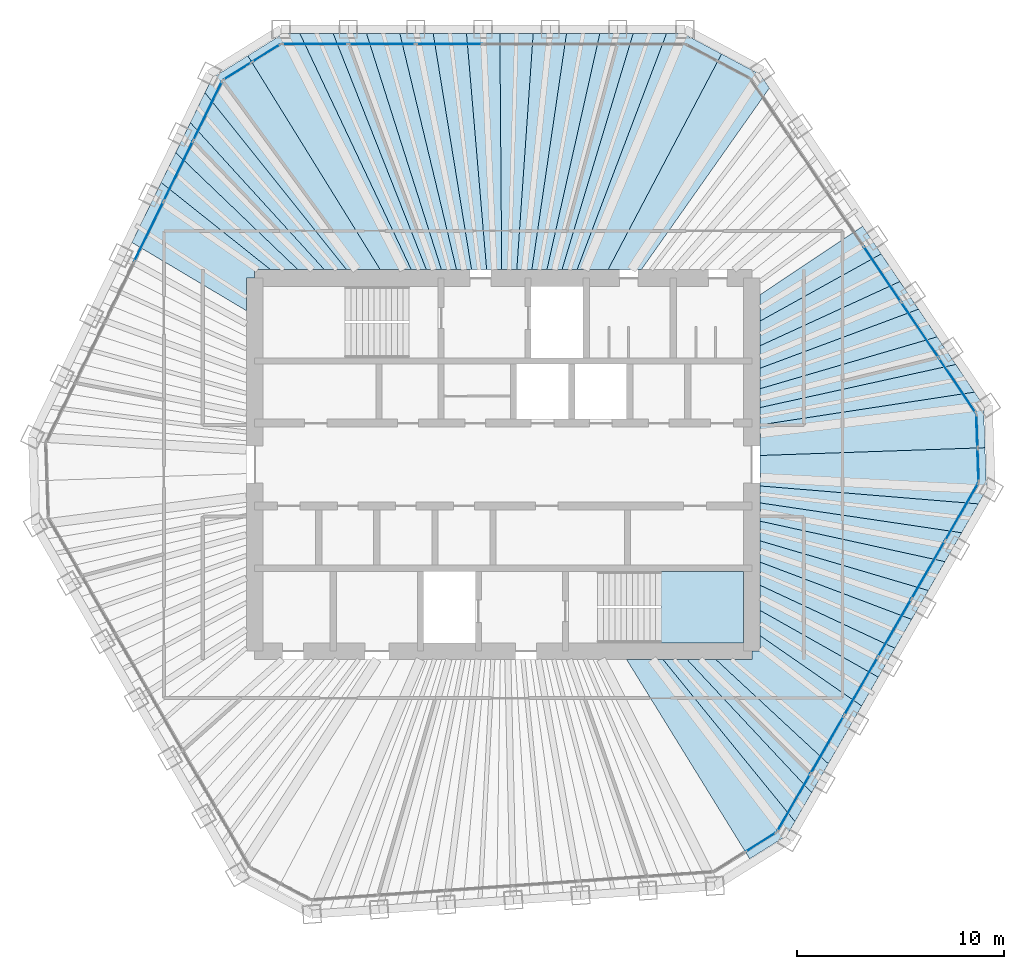
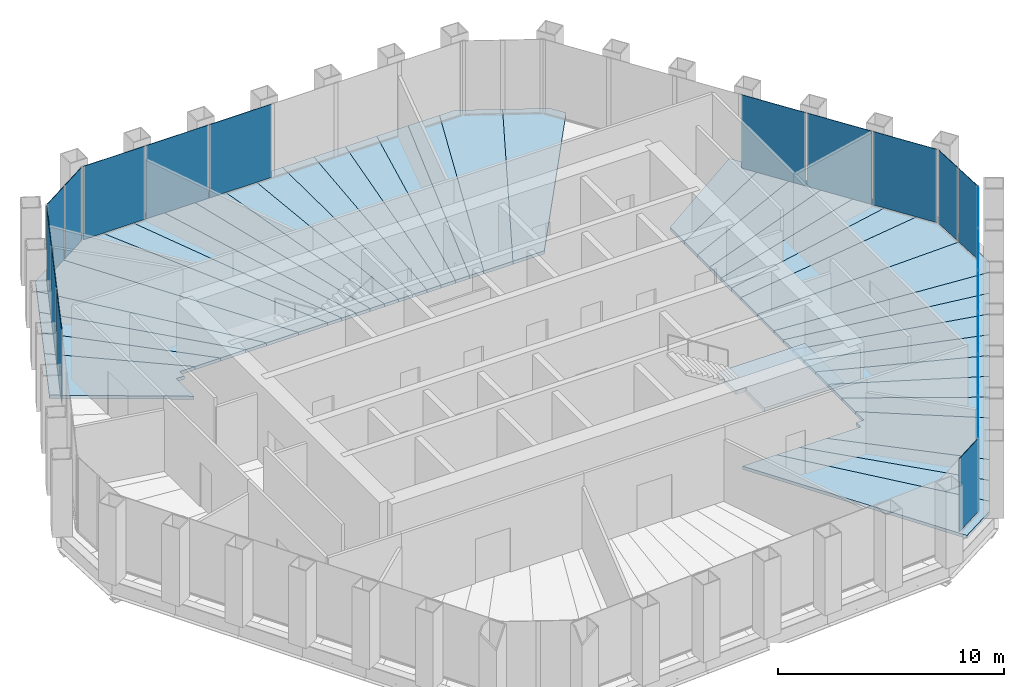
# One storey, part 10 of 14: 39 slabs, 20 plates, 8 elements without a shape of their own.
"""IFC4 building model written with IfcOpenShell, lengths in metres."""

import ifcopenshell
import ifcopenshell.guid

model = None  # the IFC model being written
_history = None  # IfcOwnerHistory: only IFC2X3 demands one
_inside = {}  # id of a spatial element -> (the spatial element, [elements in it])
_under = {}  # id of a project, library or spatial element -> (it, [spatial elements below it])
_declared = {}  # id of a project -> (the project, [libraries it declares])
_typed = {}  # id of a type object -> (the type object, [elements of that type])
_made_of = {}  # id of a material, layer set ... -> (it, [elements and type objects made of it])


def new_model(schema):
    """Start an empty IFC model of exactly this schema.

    Asked for "IFC4X3", IfcOpenShell would pick the latest addendum, in which some entities
    have other attributes; the version numbers below select the first issue.
    IFC2X3 requires an IfcOwnerHistory on every rooted entity: one is made here for all.
    """
    global model, _history
    if schema == "IFC4X3":
        model = ifcopenshell.file(schema_version=(4, 3, 0, 0))
    else:
        model = ifcopenshell.file(schema=schema)
    _inside.clear()
    _under.clear()
    _declared.clear()
    _typed.clear()
    _made_of.clear()
    _history = None
    if model.schema == "IFC2X3":
        org = make("IfcOrganization", Name="unknown")
        user = make(
            "IfcPersonAndOrganization",
            ThePerson=make("IfcPerson", FamilyName="unknown"),
            TheOrganization=org,
        )
        app = make(
            "IfcApplication",
            ApplicationDeveloper=org,
            Version="unknown",
            ApplicationFullName="unknown",
            ApplicationIdentifier="unknown",
        )
        _history = make(
            "IfcOwnerHistory",
            OwningUser=user,
            OwningApplication=app,
            ChangeAction="ADDED",
            CreationDate=0,
        )
    return model


def make(cls, **values):
    """One entity of the class cls with the attributes given. An attribute that is None is left unset."""
    return model.create_entity(
        cls, **{name: value for name, value in values.items() if value is not None}
    )


def rooted(cls, **values):
    """An entity with a GlobalId (a new one), such as an element, a storey or a relation."""
    return make(cls, GlobalId=ifcopenshell.guid.new(), OwnerHistory=_history, **values)


def si_unit(unit_type, name, prefix=None):
    """IfcSIUnit, for example si_unit("LENGTHUNIT", "METRE", prefix="MILLI")."""
    return make("IfcSIUnit", UnitType=unit_type, Prefix=prefix, Name=name)


def assignment(units):
    """IfcUnitAssignment: the units of a project."""
    return None if units is None else make("IfcUnitAssignment", Units=units)


def point(xyz):
    """IfcCartesianPoint."""
    return None if xyz is None else make("IfcCartesianPoint", Coordinates=xyz)


def direction(xyz):
    """IfcDirection."""
    return None if xyz is None else make("IfcDirection", DirectionRatios=xyz)


def frame(location, z_axis=None, x_axis=None):
    """IfcAxis2Placement3D, a coordinate frame: its origin and axes. An axis left out is left unset."""
    return make(
        "IfcAxis2Placement3D",
        Location=point(location),
        Axis=direction(z_axis),
        RefDirection=direction(x_axis),
    )


def frame_2d(location, x_axis=None):
    """IfcAxis2Placement2D, a coordinate frame in the plane: its origin and x axis."""
    return make(
        "IfcAxis2Placement2D", Location=point(location), RefDirection=direction(x_axis)
    )


def origin():
    """The frame at (0, 0, 0) with its axes left unset."""
    return frame((0.0, 0.0, 0.0))


def origin_2d():
    """The frame at (0, 0) in the plane with its x axis left unset."""
    return frame_2d((0.0, 0.0))


def place(relative_to, where):
    """IfcLocalPlacement: puts the frame where relative to a parent placement (None: the world)."""
    return make(
        "IfcLocalPlacement", PlacementRelTo=relative_to, RelativePlacement=where
    )


def context(
    kind, dimensions, precision=None, world=None, true_north=None, identifier=None
):
    """IfcGeometricRepresentationContext, for example the 3D "Model" context."""
    return make(
        "IfcGeometricRepresentationContext",
        ContextIdentifier=identifier,
        ContextType=kind,
        CoordinateSpaceDimension=dimensions,
        Precision=precision,
        WorldCoordinateSystem=world,
        TrueNorth=true_north,
    )


def subcontext(parent, identifier, kind, view, scale=None):
    """IfcGeometricRepresentationSubContext, for example "Body" below "Model"."""
    return make(
        "IfcGeometricRepresentationSubContext",
        ContextIdentifier=identifier,
        ContextType=kind,
        ParentContext=parent,
        TargetScale=scale,
        TargetView=view,
    )


def project(units=None, contexts=None):
    """IfcProject with its units and contexts."""
    return rooted(
        "IfcProject",
        Name="project",
        RepresentationContexts=contexts,
        UnitsInContext=assignment(units),
    )


def spatial(cls, under=None, at=None, **own):
    """A site, building, storey or space (cls), placed at a placement, below another one or the project."""
    s = rooted(cls, ObjectPlacement=at, **own)
    if under is not None:
        _under.setdefault(under.id(), (under, []))[1].append(s)
    return s


def polyline(points):
    """IfcPolyline through the points."""
    return make("IfcPolyline", Points=[point(p) for p in points])


def profile(cls, at=None, kind="AREA", **sizes):
    """A parametric profile (cls). Its sizes go by their IFC names, for example OverallWidth=200.0."""
    return make(cls, ProfileType=kind, Position=at, **sizes)


def rectangle(**sizes):
    """IfcRectangleProfileDef."""
    return profile("IfcRectangleProfileDef", **sizes)


def outline(outer, holes=None, kind="AREA"):
    """IfcArbitraryClosedProfileDef: a profile drawn as a closed curve; with holes, ...WithVoids."""
    if holes is None:
        return make("IfcArbitraryClosedProfileDef", ProfileType=kind, OuterCurve=outer)
    return make(
        "IfcArbitraryProfileDefWithVoids",
        ProfileType=kind,
        OuterCurve=outer,
        InnerCurves=holes,
    )


def extrude(swept, where, along, depth):
    """IfcExtrudedAreaSolid: the profile swept, set in the frame where, extruded along a direction by depth."""
    return make(
        "IfcExtrudedAreaSolid",
        SweptArea=swept,
        Position=where,
        ExtrudedDirection=direction(along),
        Depth=depth,
    )


def shape(context_of_items, identifier, shape_type, items):
    """IfcShapeRepresentation: the items that make up one representation, for example the "Body"."""
    return make(
        "IfcShapeRepresentation",
        ContextOfItems=context_of_items,
        RepresentationIdentifier=identifier,
        RepresentationType=shape_type,
        Items=items,
    )


def material(Name=None, Category=None):
    """IfcMaterial."""
    return make("IfcMaterial", Name=Name, Category=Category)


def layer(
    of_material, thickness, ventilated=None, Name=None, Category=None, Priority=None
):
    """IfcMaterialLayer: one layer of a wall or slab, of a material (None: an air gap)."""
    return make(
        "IfcMaterialLayer",
        Material=of_material,
        LayerThickness=thickness,
        IsVentilated=ventilated,
        Name=Name,
        Category=Category,
        Priority=Priority,
    )


def layer_set(layers, Name=None):
    """IfcMaterialLayerSet."""
    return make("IfcMaterialLayerSet", MaterialLayers=layers, LayerSetName=Name)


def made_of(thing, what):
    """Note that an element or type object is made of a material, layer set ...; save() writes the relation."""
    if what is not None:
        _made_of.setdefault(what.id(), (what, []))[1].append(thing)
    return thing


def type_object(cls, material=None, **own):
    """A type object (cls), such as IfcWallType, which elements share."""
    return made_of(rooted(cls, **own), material)


def element(
    cls,
    number,
    at=None,
    inside=None,
    cuts=None,
    type_object=None,
    material=None,
    context=None,
    identifier="Body",
    shape_type=None,
    held_by="IfcProductDefinitionShape",
    body=None,
    shapes=None,
    **own,
):
    """One element of the class cls, such as IfcWall. Its Tag is "e" and its number.

    at: its placement. inside: the storey or other place that contains it. cuts: it is an
    opening in that element (IfcRelVoidsElement). A single representation is given by context,
    identifier, shape_type and body (its items); several are given by shapes. held_by: the class
    of the entity that holds the representations. save() writes the other relations.
    """
    e = rooted(cls, Tag="e%d" % number, ObjectPlacement=at, **own)
    if body is not None:
        shapes = [shape(context, identifier, shape_type, body)]
    if shapes is not None:
        e.Representation = make(held_by, Representations=shapes)
    if inside is not None:
        _inside.setdefault(inside.id(), (inside, []))[1].append(e)
    if cuts is not None:
        rooted(
            "IfcRelVoidsElement", RelatingBuildingElement=cuts, RelatedOpeningElement=e
        )
    if type_object is not None:
        _typed.setdefault(type_object.id(), (type_object, []))[1].append(e)
    return made_of(e, material)


def aggregate(whole, parts):
    """IfcRelAggregates: a whole, such as a stair, and the parts it consists of."""
    return rooted("IfcRelAggregates", RelatingObject=whole, RelatedObjects=parts)


def save(model, path):
    """Write the relations noted so far, then the file.

    IfcRelAggregates (storeys below a building ...), IfcRelContainedInSpatialStructure (elements
    in a storey), IfcRelDefinesByType, IfcRelAssociatesMaterial and IfcRelDeclares: one each for
    every whole, place, type object, material and project.
    """
    for whole, parts in _under.values():
        aggregate(whole, parts)
    for where, things in _inside.values():
        rooted(
            "IfcRelContainedInSpatialStructure",
            RelatedElements=things,
            RelatingStructure=where,
        )
    for kind, things in _typed.values():
        rooted("IfcRelDefinesByType", RelatedObjects=things, RelatingType=kind)
    for what, things in _made_of.values():
        rooted("IfcRelAssociatesMaterial", RelatedObjects=things, RelatingMaterial=what)
    for by, libraries in _declared.values():
        rooted("IfcRelDeclares", RelatingContext=by, RelatedDefinitions=libraries)
    model.write(path)


model = new_model("IFC4")

# Units and contexts
model_context = context("Model", 3, precision=1e-05, world=origin(), true_north=direction((0.0, 1.0)))
body_context = subcontext(model_context, "Body", "Model", "MODEL_VIEW")
ifc_project = project(units=[si_unit("LENGTHUNIT", "METRE"), si_unit("AREAUNIT", "SQUARE_METRE"), si_unit("VOLUMEUNIT", "CUBIC_METRE"), si_unit("PLANEANGLEUNIT", "RADIAN"), si_unit("MASSUNIT", "GRAM", prefix="KILO")], contexts=[model_context])

# Site, building, storey
site_placement = place(None, origin())
site = spatial("IfcSite", under=ifc_project, at=site_placement, CompositionType="ELEMENT")
building_placement = place(site_placement, origin())
building = spatial("IfcBuilding", under=site, at=building_placement, Name="Qingtian Harvest Tower", CompositionType="ELEMENT")
storey_placement = place(building_placement, frame((0.0, 0.0, 320.800048828125)))
storey = spatial("IfcBuildingStorey", under=building, at=storey_placement, Name="L71", CompositionType="ELEMENT", Elevation=320.800048828125)

# Slabs
ifc_material_1 = material(Name="Concrete fc' 35 MPa", Category="concrete")
ifc_layer_1 = layer(ifc_material_1, 0.169921875)
ifc_layer_set_1 = layer_set([ifc_layer_1], Name="Composite floor slab FS17 170")
slab_type_1 = type_object("IfcSlabType", Name="Composite floor slab FS17 170", PredefinedType="FLOOR", material=ifc_layer_set_1)
slab_1_placement = place(storey_placement, frame((0.0, 0.0, -0.170166015625)))
element("IfcSlab", 1, at=slab_1_placement, inside=storey, type_object=slab_type_1, Name="Floor slab L71 panel D27", PredefinedType="FLOOR", context=body_context, shape_type="SweptSolid", body=[
    extrude(outline(polyline([(5.945556640625, -9.39990234375), (7.703125, -9.39990234375), (14.077880859375, -17.2265625), (13.6865234375, -17.904296875), (11.890380859375, -19.026611328125), (5.945556640625, -9.39990234375)])), origin(), (0.0, 0.0, 1.0), 0.170166015625),
])
slab_2_placement = place(storey_placement, frame((0.0, 0.0, -0.170166015625)))
element("IfcSlab", 2, at=slab_2_placement, inside=storey, type_object=slab_type_1, Name="Floor slab L71 panel D28", PredefinedType="FLOOR", context=body_context, shape_type="SweptSolid", body=[
    extrude(outline(polyline([(8.86279296875, -9.39990234375), (14.88232421875, -15.8330078125), (14.077880859375, -17.2265625), (7.703125, -9.39990234375), (8.86279296875, -9.39990234375)])), origin(), (0.0, 0.0, 1.0), 0.170166015625),
])
slab_3_placement = place(storey_placement, frame((0.0, 0.0, -0.170166015625)))
element("IfcSlab", 3, at=slab_3_placement, inside=storey, type_object=slab_type_1, Name="Floor slab L71 panel D29", PredefinedType="FLOOR", context=body_context, shape_type="SweptSolid", body=[
    extrude(outline(polyline([(10.248046875, -9.39990234375), (15.68701171875, -14.439453125), (14.88232421875, -15.8330078125), (8.86279296875, -9.39990234375), (10.248046875, -9.39990234375)])), origin(), (0.0, 0.0, 1.0), 0.170166015625),
])
slab_4_placement = place(storey_placement, frame((0.0, 0.0, -0.170166015625)))
element("IfcSlab", 4, at=slab_4_placement, inside=storey, type_object=slab_type_1, Name="Floor slab L71 panel D31", PredefinedType="FLOOR", context=body_context, shape_type="SweptSolid", body=[
    extrude(outline(polyline([(12.39990234375, -8.263427734375), (17.296630859375, -11.651123046875), (15.68701171875, -14.439453125), (10.248046875, -9.39990234375), (12.0, -9.39990234375), (12.0, -9.0), (12.39990234375, -9.0), (12.39990234375, -8.263427734375)])), origin(), (0.0, 0.0, 1.0), 0.170166015625),
])
slab_5_placement = place(storey_placement, frame((0.0, 0.0, -0.170166015625)))
element("IfcSlab", 5, at=slab_5_placement, inside=storey, type_object=slab_type_1, Name="Floor slab L71 panel D32", PredefinedType="FLOOR", context=body_context, shape_type="SweptSolid", body=[
    extrude(outline(polyline([(12.39990234375, -7.04296875), (18.099853515625, -10.26025390625), (17.296630859375, -11.651123046875), (12.39990234375, -8.263427734375), (12.39990234375, -7.04296875)])), origin(), (0.0, 0.0, 1.0), 0.170166015625),
])
slab_6_placement = place(storey_placement, frame((0.0, 0.0, -0.170166015625)))
element("IfcSlab", 6, at=slab_6_placement, inside=storey, type_object=slab_type_1, Name="Floor slab L71 panel D33", PredefinedType="FLOOR", context=body_context, shape_type="SweptSolid", body=[
    extrude(outline(polyline([(12.39990234375, -5.828125), (18.904296875, -8.86669921875), (18.099853515625, -10.26025390625), (12.39990234375, -7.04296875), (12.39990234375, -5.828125)])), origin(), (0.0, 0.0, 1.0), 0.170166015625),
])
slab_7_placement = place(storey_placement, frame((0.0, 0.0, -0.170166015625)))
element("IfcSlab", 7, at=slab_7_placement, inside=storey, type_object=slab_type_1, Name="Floor slab L71 panel D34", PredefinedType="FLOOR", context=body_context, shape_type="SweptSolid", body=[
    extrude(outline(polyline([(12.39990234375, -4.712646484375), (19.708740234375, -7.473388671875), (18.904296875, -8.86669921875), (12.39990234375, -5.828125), (12.39990234375, -4.712646484375)])), origin(), (0.0, 0.0, 1.0), 0.170166015625),
])
slab_8_placement = place(storey_placement, frame((0.0, 0.0, -0.170166015625)))
element("IfcSlab", 8, at=slab_8_placement, inside=storey, type_object=slab_type_1, Name="Floor slab L71 panel D35", PredefinedType="FLOOR", context=body_context, shape_type="SweptSolid", body=[
    extrude(outline(polyline([(12.39990234375, -3.684814453125), (20.51318359375, -6.080078125), (19.708740234375, -7.473388671875), (12.39990234375, -4.712646484375), (12.39990234375, -3.684814453125)])), origin(), (0.0, 0.0, 1.0), 0.170166015625),
])
slab_9_placement = place(storey_placement, frame((0.0, 0.0, -0.170166015625)))
element("IfcSlab", 9, at=slab_9_placement, inside=storey, type_object=slab_type_1, Name="Floor slab L71 panel D36", PredefinedType="FLOOR", context=body_context, shape_type="SweptSolid", body=[
    extrude(outline(polyline([(12.39990234375, -2.734619140625), (21.317626953125, -4.6865234375), (20.51318359375, -6.080078125), (12.39990234375, -3.684814453125), (12.39990234375, -2.734619140625)])), origin(), (0.0, 0.0, 1.0), 0.170166015625),
])
slab_10_placement = place(storey_placement, frame((0.0, 0.0, -0.170166015625)))
element("IfcSlab", 10, at=slab_10_placement, inside=storey, type_object=slab_type_1, Name="Floor slab L71 panel D37", PredefinedType="FLOOR", context=body_context, shape_type="SweptSolid", body=[
    extrude(outline(polyline([(12.39990234375, -1.853515625), (22.122314453125, -3.293212890625), (21.317626953125, -4.6865234375), (12.39990234375, -2.734619140625), (12.39990234375, -1.853515625)])), origin(), (0.0, 0.0, 1.0), 0.170166015625),
])
slab_11_placement = place(storey_placement, frame((0.0, 0.0, -0.170166015625)))
element("IfcSlab", 11, at=slab_11_placement, inside=storey, type_object=slab_type_1, Name="Floor slab L71 panel D38", PredefinedType="FLOOR", context=body_context, shape_type="SweptSolid", body=[
    extrude(outline(polyline([(12.39990234375, -1.034423828125), (22.9267578125, -1.89990234375), (22.122314453125, -3.293212890625), (12.39990234375, -1.853515625), (12.39990234375, -1.034423828125)])), origin(), (0.0, 0.0, 1.0), 0.170166015625),
])
slab_12_placement = place(storey_placement, frame((0.0, 0.0, -0.170166015625)))
element("IfcSlab", 12, at=slab_12_placement, inside=storey, type_object=slab_type_1, Name="Floor slab L71 panel D39", PredefinedType="FLOOR", context=body_context, shape_type="SweptSolid", body=[
    extrude(outline(polyline([(12.39990234375, -1.034423828125), (12.39990234375, 0.436279296875), (23.246826171875, 0.811767578125), (23.31787109375, -1.22216796875), (22.9267578125, -1.89990234375), (12.39990234375, -1.034423828125)])), origin(), (0.0, 0.0, 1.0), 0.170166015625),
])
slab_13_placement = place(storey_placement, frame((0.0, 0.0, -0.170166015625)))
element("IfcSlab", 13, at=slab_13_placement, inside=storey, type_object=slab_type_1, Name="Floor slab L71 panel D40", PredefinedType="FLOOR", context=body_context, shape_type="SweptSolid", body=[
    extrude(outline(polyline([(12.39990234375, 0.436279296875), (12.39990234375, 1.91357421875), (22.73828125, 3.494384765625), (23.17578125, 2.845947265625), (23.246826171875, 0.811767578125), (12.39990234375, 0.436279296875)])), origin(), (0.0, 0.0, 1.0), 0.170166015625),
])
slab_14_placement = place(storey_placement, frame((0.0, 0.0, -0.170166015625)))
element("IfcSlab", 14, at=slab_14_placement, inside=storey, type_object=slab_type_1, Name="Floor slab L71 panel D41", PredefinedType="FLOOR", context=body_context, shape_type="SweptSolid", body=[
    extrude(outline(polyline([(12.39990234375, 2.75048828125), (21.838623046875, 4.828369140625), (22.73828125, 3.494384765625), (12.39990234375, 1.91357421875), (12.39990234375, 2.75048828125)])), origin(), (0.0, 0.0, 1.0), 0.170166015625),
])
slab_15_placement = place(storey_placement, frame((0.0, 0.0, -0.170166015625)))
element("IfcSlab", 15, at=slab_15_placement, inside=storey, type_object=slab_type_1, Name="Floor slab L71 panel D42", PredefinedType="FLOOR", context=body_context, shape_type="SweptSolid", body=[
    extrude(outline(polyline([(12.39990234375, 3.659423828125), (20.93896484375, 6.162353515625), (21.838623046875, 4.828369140625), (12.39990234375, 2.75048828125), (12.39990234375, 3.659423828125)])), origin(), (0.0, 0.0, 1.0), 0.170166015625),
])
slab_16_placement = place(storey_placement, frame((0.0, 0.0, -0.170166015625)))
element("IfcSlab", 16, at=slab_16_placement, inside=storey, type_object=slab_type_1, Name="Floor slab L71 panel D43", PredefinedType="FLOOR", context=body_context, shape_type="SweptSolid", body=[
    extrude(outline(polyline([(12.39990234375, 4.64990234375), (20.0390625, 7.49609375), (20.93896484375, 6.162353515625), (12.39990234375, 3.659423828125), (12.39990234375, 4.64990234375)])), origin(), (0.0, 0.0, 1.0), 0.170166015625),
])
slab_17_placement = place(storey_placement, frame((0.0, 0.0, -0.170166015625)))
element("IfcSlab", 17, at=slab_17_placement, inside=storey, type_object=slab_type_1, Name="Floor slab L71 panel D44", PredefinedType="FLOOR", context=body_context, shape_type="SweptSolid", body=[
    extrude(outline(polyline([(12.39990234375, 5.73388671875), (19.139404296875, 8.830078125), (20.0390625, 7.49609375), (12.39990234375, 4.64990234375), (12.39990234375, 5.73388671875)])), origin(), (0.0, 0.0, 1.0), 0.170166015625),
])
slab_18_placement = place(storey_placement, frame((0.0, 0.0, -0.170166015625)))
element("IfcSlab", 18, at=slab_18_placement, inside=storey, type_object=slab_type_1, Name="Floor slab L71 panel D45", PredefinedType="FLOOR", context=body_context, shape_type="SweptSolid", body=[
    extrude(outline(polyline([(12.39990234375, 6.925048828125), (18.23974609375, 10.1640625), (19.139404296875, 8.830078125), (12.39990234375, 5.73388671875), (12.39990234375, 6.925048828125)])), origin(), (0.0, 0.0, 1.0), 0.170166015625),
])
slab_19_placement = place(storey_placement, frame((0.0, 0.0, -0.170166015625)))
element("IfcSlab", 19, at=slab_19_placement, inside=storey, type_object=slab_type_1, Name="Floor slab L71 panel D46", PredefinedType="FLOOR", context=body_context, shape_type="SweptSolid", body=[
    extrude(outline(polyline([(12.39990234375, 8.199462890625), (17.340576171875, 11.4970703125), (18.23974609375, 10.1640625), (12.39990234375, 6.925048828125), (12.39990234375, 8.199462890625)])), origin(), (0.0, 0.0, 1.0), 0.170166015625),
])
slab_20_placement = place(storey_placement, frame((0.0, 0.0, -0.170166015625)))
element("IfcSlab", 20, at=slab_20_placement, inside=storey, type_object=slab_type_1, Name="Floor slab L71 panel D52", PredefinedType="FLOOR", context=body_context, shape_type="SweptSolid", body=[
    extrude(outline(polyline([(6.662109375, 9.39990234375), (5.05419921875, 9.39990234375), (10.533935546875, 19.809814453125), (12.404296875, 18.8154296875), (12.841796875, 18.16650390625), (6.662109375, 9.39990234375)])), origin(), (0.0, 0.0, 1.0), 0.170166015625),
])
slab_21_placement = place(storey_placement, frame((0.0, 0.0, -0.170166015625)))
element("IfcSlab", 21, at=slab_21_placement, inside=storey, type_object=slab_type_1, Name="Floor slab L71 panel D53", PredefinedType="FLOOR", context=body_context, shape_type="SweptSolid", body=[
    extrude(outline(polyline([(3.560302734375, 9.39990234375), (7.880126953125, 20.804931640625), (8.662109375, 20.804931640625), (10.533935546875, 19.809814453125), (5.05419921875, 9.39990234375), (3.560302734375, 9.39990234375)])), origin(), (0.0, 0.0, 1.0), 0.170166015625),
])
slab_22_placement = place(storey_placement, frame((0.0, 0.0, -0.170166015625)))
element("IfcSlab", 22, at=slab_22_placement, inside=storey, type_object=slab_type_1, Name="Floor slab L71 panel D54", PredefinedType="FLOOR", context=body_context, shape_type="SweptSolid", body=[
    extrude(outline(polyline([(2.833251953125, 9.39990234375), (6.27099609375, 20.804931640625), (7.880126953125, 20.804931640625), (3.560302734375, 9.39990234375), (2.833251953125, 9.39990234375)])), origin(), (0.0, 0.0, 1.0), 0.170166015625),
])
slab_23_placement = place(storey_placement, frame((0.0, 0.0, -0.170166015625)))
element("IfcSlab", 23, at=slab_23_placement, inside=storey, type_object=slab_type_1, Name="Floor slab L71 panel D55", PredefinedType="FLOOR", context=body_context, shape_type="SweptSolid", body=[
    extrude(outline(polyline([(2.1064453125, 9.39990234375), (4.662109375, 20.804931640625), (6.27099609375, 20.804931640625), (2.833251953125, 9.39990234375), (2.1064453125, 9.39990234375)])), origin(), (0.0, 0.0, 1.0), 0.170166015625),
])
slab_24_placement = place(storey_placement, frame((0.0, 0.0, -0.170166015625)))
element("IfcSlab", 24, at=slab_24_placement, inside=storey, type_object=slab_type_1, Name="Floor slab L71 panel D56", PredefinedType="FLOOR", context=body_context, shape_type="SweptSolid", body=[
    extrude(outline(polyline([(1.37939453125, 9.39990234375), (3.05322265625, 20.804931640625), (4.662109375, 20.804931640625), (2.1064453125, 9.39990234375), (1.37939453125, 9.39990234375)])), origin(), (0.0, 0.0, 1.0), 0.170166015625),
])
slab_25_placement = place(storey_placement, frame((0.0, 0.0, -0.170166015625)))
element("IfcSlab", 25, at=slab_25_placement, inside=storey, type_object=slab_type_1, Name="Floor slab L71 panel D57", PredefinedType="FLOOR", context=body_context, shape_type="SweptSolid", body=[
    extrude(outline(polyline([(0.652587890625, 9.39990234375), (1.4443359375, 20.804931640625), (3.05322265625, 20.804931640625), (1.37939453125, 9.39990234375), (0.652587890625, 9.39990234375)])), origin(), (0.0, 0.0, 1.0), 0.170166015625),
])
slab_26_placement = place(storey_placement, frame((0.0, 0.0, -0.170166015625)))
element("IfcSlab", 26, at=slab_26_placement, inside=storey, type_object=slab_type_1, Name="Floor slab L71 panel D58", PredefinedType="FLOOR", context=body_context, shape_type="SweptSolid", body=[
    extrude(outline(polyline([(-0.074462890625, 9.39990234375), (-0.16455078125, 20.804931640625), (1.4443359375, 20.804931640625), (0.652587890625, 9.39990234375), (-0.074462890625, 9.39990234375)])), origin(), (0.0, 0.0, 1.0), 0.170166015625),
])
slab_27_placement = place(storey_placement, frame((0.0, 0.0, -0.170166015625)))
element("IfcSlab", 27, at=slab_27_placement, inside=storey, type_object=slab_type_1, Name="Floor slab L71 panel D59", PredefinedType="FLOOR", context=body_context, shape_type="SweptSolid", body=[
    extrude(outline(polyline([(-0.80126953125, 9.39990234375), (-1.773681640625, 20.804931640625), (-0.16455078125, 20.804931640625), (-0.074462890625, 9.39990234375), (-0.80126953125, 9.39990234375)])), origin(), (0.0, 0.0, 1.0), 0.170166015625),
])
slab_28_placement = place(storey_placement, frame((0.0, 0.0, -0.170166015625)))
element("IfcSlab", 28, at=slab_28_placement, inside=storey, type_object=slab_type_1, Name="Floor slab L71 panel D60", PredefinedType="FLOOR", context=body_context, shape_type="SweptSolid", body=[
    extrude(outline(polyline([(-1.5283203125, 9.39990234375), (-3.382568359375, 20.804931640625), (-1.773681640625, 20.804931640625), (-0.80126953125, 9.39990234375), (-1.5283203125, 9.39990234375)])), origin(), (0.0, 0.0, 1.0), 0.170166015625),
])
slab_29_placement = place(storey_placement, frame((0.0, 0.0, -0.170166015625)))
element("IfcSlab", 29, at=slab_29_placement, inside=storey, type_object=slab_type_1, Name="Floor slab L71 panel D61", PredefinedType="FLOOR", context=body_context, shape_type="SweptSolid", body=[
    extrude(outline(polyline([(-2.255126953125, 9.39990234375), (-4.991455078125, 20.804931640625), (-3.382568359375, 20.804931640625), (-1.5283203125, 9.39990234375), (-2.255126953125, 9.39990234375)])), origin(), (0.0, 0.0, 1.0), 0.170166015625),
])
slab_30_placement = place(storey_placement, frame((0.0, 0.0, -0.170166015625)))
element("IfcSlab", 30, at=slab_30_placement, inside=storey, type_object=slab_type_1, Name="Floor slab L71 panel D62", PredefinedType="FLOOR", context=body_context, shape_type="SweptSolid", body=[
    extrude(outline(polyline([(-2.982177734375, 9.39990234375), (-6.600341796875, 20.804931640625), (-4.991455078125, 20.804931640625), (-2.255126953125, 9.39990234375), (-2.982177734375, 9.39990234375)])), origin(), (0.0, 0.0, 1.0), 0.170166015625),
])
slab_31_placement = place(storey_placement, frame((0.0, 0.0, -0.170166015625)))
element("IfcSlab", 31, at=slab_31_placement, inside=storey, type_object=slab_type_1, Name="Floor slab L71 panel D63", PredefinedType="FLOOR", context=body_context, shape_type="SweptSolid", body=[
    extrude(outline(polyline([(-3.708984375, 9.39990234375), (-8.209228515625, 20.804931640625), (-6.600341796875, 20.804931640625), (-2.982177734375, 9.39990234375), (-3.708984375, 9.39990234375)])), origin(), (0.0, 0.0, 1.0), 0.170166015625),
])
slab_32_placement = place(storey_placement, frame((0.0, 0.0, -0.170166015625)))
element("IfcSlab", 32, at=slab_32_placement, inside=storey, type_object=slab_type_1, Name="Floor slab L71 panel D64", PredefinedType="FLOOR", context=body_context, shape_type="SweptSolid", body=[
    extrude(outline(polyline([(-4.43603515625, 9.39990234375), (-9.818115234375, 20.804931640625), (-8.209228515625, 20.804931640625), (-3.708984375, 9.39990234375), (-4.43603515625, 9.39990234375)])), origin(), (0.0, 0.0, 1.0), 0.170166015625),
])
slab_33_placement = place(storey_placement, frame((0.0, 0.0, -0.170166015625)))
element("IfcSlab", 33, at=slab_33_placement, inside=storey, type_object=slab_type_1, Name="Floor slab L71 panel D65", PredefinedType="FLOOR", context=body_context, shape_type="SweptSolid", body=[
    extrude(outline(polyline([(-4.43603515625, 9.39990234375), (-5.935302734375, 9.39990234375), (-12.327392578125, 19.725830078125), (-10.600341796875, 20.804931640625), (-9.818115234375, 20.804931640625), (-4.43603515625, 9.39990234375)])), origin(), (0.0, 0.0, 1.0), 0.170166015625),
])
slab_34_placement = place(storey_placement, frame((0.0, 0.0, -0.170166015625)))
element("IfcSlab", 34, at=slab_34_placement, inside=storey, type_object=slab_type_1, Name="Floor slab L71 panel D66", PredefinedType="FLOOR", context=body_context, shape_type="SweptSolid", body=[
    extrude(outline(polyline([(-5.935302734375, 9.39990234375), (-7.560302734375, 9.39990234375), (-14.3955078125, 17.944580078125), (-14.052490234375, 18.64794921875), (-12.327392578125, 19.725830078125), (-5.935302734375, 9.39990234375)])), origin(), (0.0, 0.0, 1.0), 0.170166015625),
])
slab_35_placement = place(storey_placement, frame((0.0, 0.0, -0.170166015625)))
element("IfcSlab", 35, at=slab_35_placement, inside=storey, type_object=slab_type_1, Name="Floor slab L71 panel D67", PredefinedType="FLOOR", context=body_context, shape_type="SweptSolid", body=[
    extrude(outline(polyline([(-8.62890625, 9.39990234375), (-15.100830078125, 16.498291015625), (-14.3955078125, 17.944580078125), (-7.560302734375, 9.39990234375), (-8.62890625, 9.39990234375)])), origin(), (0.0, 0.0, 1.0), 0.170166015625),
])
slab_36_placement = place(storey_placement, frame((0.0, 0.0, -0.170166015625)))
element("IfcSlab", 36, at=slab_36_placement, inside=storey, type_object=slab_type_1, Name="Floor slab L71 panel D68", PredefinedType="FLOOR", context=body_context, shape_type="SweptSolid", body=[
    extrude(outline(polyline([(-9.90380859375, 9.39990234375), (-15.80615234375, 15.05224609375), (-15.100830078125, 16.498291015625), (-8.62890625, 9.39990234375), (-9.90380859375, 9.39990234375)])), origin(), (0.0, 0.0, 1.0), 0.170166015625),
])
slab_37_placement = place(storey_placement, frame((0.0, 0.0, -0.170166015625)))
element("IfcSlab", 37, at=slab_37_placement, inside=storey, type_object=slab_type_1, Name="Floor slab L71 panel D69", PredefinedType="FLOOR", context=body_context, shape_type="SweptSolid", body=[
    extrude(outline(polyline([(-11.224853515625, 9.39990234375), (-16.509765625, 13.609619140625), (-15.80615234375, 15.05224609375), (-9.90380859375, 9.39990234375), (-11.224853515625, 9.39990234375)])), origin(), (0.0, 0.0, 1.0), 0.170166015625),
])
slab_38_placement = place(storey_placement, frame((0.0, 0.0, -0.170166015625)))
element("IfcSlab", 38, at=slab_38_placement, inside=storey, type_object=slab_type_1, Name="Floor slab L71 panel D70", PredefinedType="FLOOR", context=body_context, shape_type="SweptSolid", body=[
    extrude(outline(polyline([(-12.0, 9.0), (-12.39990234375, 9.0), (-12.39990234375, 7.42578125), (-17.921875, 10.714599609375), (-16.509765625, 13.609619140625), (-11.224853515625, 9.39990234375), (-12.0, 9.39990234375), (-12.0, 9.0)])), origin(), (0.0, 0.0, 1.0), 0.170166015625),
])

# Curtain wall, plates
ifc_material_2 = material(Name="Bronze-anodised aluminium curtain wall", Category="aluminium")
curtain_wall_type = type_object("IfcCurtainWallType", Name="Curtain wall CW5 upper office", PredefinedType="USERDEFINED", material=ifc_material_2)
curtain_wall_1_placement = place(storey_placement, origin())
curtain_wall_1 = element("IfcCurtainWall", 39, at=curtain_wall_1_placement, inside=storey, type_object=curtain_wall_type, Name="Curtain wall CW5 L71 N0-5", ObjectType="RECESSED CURTAIN WALL", PredefinedType="USERDEFINED")
ifc_material_3 = material(Name="Bronze-tinted laminated insulating glass", Category="glass")
ifc_layer_2 = layer(ifc_material_3, 0.030029296875)
ifc_layer_set_2 = layer_set([ifc_layer_2], Name="Glazed panel CWP tinted IGU")
plate_type = type_object("IfcPlateType", Name="Glazed panel CWP tinted IGU", PredefinedType="CURTAIN_PANEL", material=ifc_layer_set_2)
plate_1_placement = place(storey_placement, frame((-9.08203125, 20.300048828125, 0.06494140625), z_axis=(0.0, 0.0, 1.0), x_axis=(1.0, 0.0, 0.0)))
plate_1 = element("IfcPlate", 40, at=plate_1_placement, type_object=plate_type, Name="CW5 panel 1.1", PredefinedType="CURTAIN_PANEL", context=body_context, shape_type="SweptSolid", body=[
    extrude(rectangle(XDim=3.150634765625, YDim=0.030029296875, at=origin_2d()), origin(), (0.0, 0.0, 1.0), 3.965087890625),
])
plate_2_placement = place(storey_placement, frame((-5.85009765625, 20.300048828125, 0.06494140625), z_axis=(0.0, 0.0, 1.0), x_axis=(1.0, 0.0, 0.0)))
plate_2 = element("IfcPlate", 41, at=plate_2_placement, type_object=plate_type, Name="CW5 panel 2.1", PredefinedType="CURTAIN_PANEL", context=body_context, shape_type="SweptSolid", body=[
    extrude(rectangle(XDim=3.18310546875, YDim=0.030029296875, at=origin_2d()), origin(), (0.0, 0.0, 1.0), 3.965087890625),
])
plate_3_placement = place(storey_placement, frame((-2.602294921875, 20.300048828125, 0.06494140625), z_axis=(0.0, 0.0, 1.0), x_axis=(1.0, 0.0, 0.0)))
plate_3 = element("IfcPlate", 42, at=plate_3_placement, type_object=plate_type, Name="CW5 panel 3.1", PredefinedType="CURTAIN_PANEL", context=body_context, shape_type="SweptSolid", body=[
    extrude(rectangle(XDim=3.18310546875, YDim=0.030029296875, at=origin_2d()), origin(), (0.0, 0.0, 1.0), 3.965087890625),
])
aggregate(curtain_wall_1, [plate_1, plate_2, plate_3])

curtain_wall_2_placement = place(storey_placement, origin())
curtain_wall_2 = element("IfcCurtainWall", 43, at=curtain_wall_2_placement, inside=storey, type_object=curtain_wall_type, Name="Curtain wall CW5 L71 NE0-5", ObjectType="RECESSED CURTAIN WALL", PredefinedType="USERDEFINED")
plate_4_placement = place(storey_placement, frame((18.28466796875, 9.1943359375, 0.06494140625), z_axis=(0.0, 0.0, 1.0), x_axis=(0.559192903471, -0.829037572555, 0.0)))
plate_4 = element("IfcPlate", 44, at=plate_4_placement, type_object=plate_type, Name="CW5 panel 4.1", PredefinedType="CURTAIN_PANEL", context=body_context, shape_type="SweptSolid", body=[
    extrude(rectangle(XDim=3.18310546875, YDim=0.030029296875, at=origin_2d()), origin(), (0.0, 0.0, 1.0), 3.965087890625),
])
plate_5_placement = place(storey_placement, frame((20.100830078125, 6.50146484375, 0.06494140625), z_axis=(0.0, 0.0, 1.0), x_axis=(0.559192903471, -0.829037572555, 0.0)))
plate_5 = element("IfcPlate", 45, at=plate_5_placement, type_object=plate_type, Name="CW5 panel 5.1", PredefinedType="CURTAIN_PANEL", context=body_context, shape_type="SweptSolid", body=[
    extrude(rectangle(XDim=3.18310546875, YDim=0.030029296875, at=origin_2d()), origin(), (0.0, 0.0, 1.0), 3.965087890625),
])
plate_6_placement = place(storey_placement, frame((21.907958984375, 3.822265625, 0.06494140625), z_axis=(0.0, 0.0, 1.0), x_axis=(0.559192903471, -0.829037572555, 0.0)))
plate_6 = element("IfcPlate", 46, at=plate_6_placement, type_object=plate_type, Name="CW5 panel 6.1", PredefinedType="CURTAIN_PANEL", context=body_context, shape_type="SweptSolid", body=[
    extrude(rectangle(XDim=3.150634765625, YDim=0.030029296875, at=origin_2d()), origin(), (0.0, 0.0, 1.0), 3.965087890625),
])
aggregate(curtain_wall_2, [plate_4, plate_5, plate_6])

curtain_wall_3_placement = place(storey_placement, origin())
curtain_wall_3 = element("IfcCurtainWall", 47, at=curtain_wall_3_placement, inside=storey, type_object=curtain_wall_type, Name="Curtain wall CW5 L71 NEC", ObjectType="RECESSED CURTAIN WALL", PredefinedType="USERDEFINED")
plate_7_placement = place(storey_placement, frame((22.85498046875, 1.614501953125, 0.06494140625), z_axis=(0.0, 0.0, 1.0), x_axis=(0.034899496703, -0.999390827019, 0.0)))
plate_7 = element("IfcPlate", 48, at=plate_7_placement, type_object=plate_type, Name="CW5 panel 1.1", PredefinedType="CURTAIN_PANEL", context=body_context, shape_type="SweptSolid", body=[
    extrude(rectangle(XDim=1.56689453125, YDim=0.030029296875, at=origin_2d()), origin(), (0.0, 0.0, 1.0), 3.965087890625),
])
plate_8_placement = place(storey_placement, frame((22.911865234375, -0.016357421875, 0.06494140625), z_axis=(0.0, 0.0, 1.0), x_axis=(0.034899496703, -0.999390827019, 0.0)))
plate_8 = element("IfcPlate", 49, at=plate_8_placement, type_object=plate_type, Name="CW5 panel 2.1", PredefinedType="CURTAIN_PANEL", context=body_context, shape_type="SweptSolid", body=[
    extrude(rectangle(XDim=1.56689453125, YDim=0.030029296875, at=origin_2d()), origin(), (0.0, 0.0, 1.0), 3.965087890625),
])
aggregate(curtain_wall_3, [plate_7, plate_8])

curtain_wall_4_placement = place(storey_placement, origin())
curtain_wall_4 = element("IfcCurtainWall", 50, at=curtain_wall_4_placement, inside=storey, type_object=curtain_wall_type, Name="Curtain wall CW5 L71 SE0-5", ObjectType="RECESSED CURTAIN WALL", PredefinedType="USERDEFINED")
plate_9_placement = place(storey_placement, frame((22.121337890625, -2.28466796875, 0.06494140625), z_axis=(0.0, 0.0, 1.0), x_axis=(-0.5, -0.866025403784, 0.0)))
plate_9 = element("IfcPlate", 51, at=plate_9_placement, type_object=plate_type, Name="CW5 panel 1.1", PredefinedType="CURTAIN_PANEL", context=body_context, shape_type="SweptSolid", body=[
    extrude(rectangle(XDim=3.150634765625, YDim=0.030029296875, at=origin_2d()), origin(), (0.0, 0.0, 1.0), 3.965087890625),
])
plate_10_placement = place(storey_placement, frame((20.50537109375, -5.08349609375, 0.06494140625), z_axis=(0.0, 0.0, 1.0), x_axis=(-0.5, -0.866025403784, 0.0)))
plate_10 = element("IfcPlate", 52, at=plate_10_placement, type_object=plate_type, Name="CW5 panel 2.1", PredefinedType="CURTAIN_PANEL", context=body_context, shape_type="SweptSolid", body=[
    extrude(rectangle(XDim=3.18310546875, YDim=0.030029296875, at=origin_2d()), origin(), (0.0, 0.0, 1.0), 3.965087890625),
])
plate_11_placement = place(storey_placement, frame((18.88134765625, -7.896484375, 0.06494140625), z_axis=(0.0, 0.0, 1.0), x_axis=(-0.5, -0.866025403784, 0.0)))
plate_11 = element("IfcPlate", 53, at=plate_11_placement, type_object=plate_type, Name="CW5 panel 3.1", PredefinedType="CURTAIN_PANEL", context=body_context, shape_type="SweptSolid", body=[
    extrude(rectangle(XDim=3.18310546875, YDim=0.030029296875, at=origin_2d()), origin(), (0.0, 0.0, 1.0), 3.965087890625),
])
plate_12_placement = place(storey_placement, frame((17.25732421875, -10.709228515625, 0.06494140625), z_axis=(0.0, 0.0, 1.0), x_axis=(-0.5, -0.866025403784, 0.0)))
plate_12 = element("IfcPlate", 54, at=plate_12_placement, type_object=plate_type, Name="CW5 panel 4.1", PredefinedType="CURTAIN_PANEL", context=body_context, shape_type="SweptSolid", body=[
    extrude(rectangle(XDim=3.18310546875, YDim=0.030029296875, at=origin_2d()), origin(), (0.0, 0.0, 1.0), 3.965087890625),
])
plate_13_placement = place(storey_placement, frame((15.63330078125, -13.522216796875, 0.06494140625), z_axis=(0.0, 0.0, 1.0), x_axis=(-0.5, -0.866025403784, 0.0)))
plate_13 = element("IfcPlate", 55, at=plate_13_placement, type_object=plate_type, Name="CW5 panel 5.1", PredefinedType="CURTAIN_PANEL", context=body_context, shape_type="SweptSolid", body=[
    extrude(rectangle(XDim=3.18310546875, YDim=0.030029296875, at=origin_2d()), origin(), (0.0, 0.0, 1.0), 3.965087890625),
])
plate_14_placement = place(storey_placement, frame((14.017578125, -16.321044921875, 0.06494140625), z_axis=(0.0, 0.0, 1.0), x_axis=(-0.5, -0.866025403784, 0.0)))
plate_14 = element("IfcPlate", 56, at=plate_14_placement, type_object=plate_type, Name="CW5 panel 6.1", PredefinedType="CURTAIN_PANEL", context=body_context, shape_type="SweptSolid", body=[
    extrude(rectangle(XDim=3.150634765625, YDim=0.030029296875, at=origin_2d()), origin(), (0.0, 0.0, 1.0), 3.965087890625),
])
aggregate(curtain_wall_4, [plate_9, plate_10, plate_11, plate_12, plate_13, plate_14])

# Curtain wall, plate
curtain_wall_5_placement = place(storey_placement, origin())
curtain_wall_5 = element("IfcCurtainWall", 57, at=curtain_wall_5_placement, inside=storey, type_object=curtain_wall_type, Name="Curtain wall CW5 L71 SEC", ObjectType="RECESSED CURTAIN WALL", PredefinedType="USERDEFINED")
plate_15_placement = place(storey_placement, frame((12.42431640625, -18.224609375, 0.06494140625), z_axis=(0.0, 0.0, 1.0), x_axis=(-0.848048096156, -0.529919264233, 0.0)))
plate_15 = element("IfcPlate", 58, at=plate_15_placement, type_object=plate_type, Name="CW5 panel 1.1", PredefinedType="CURTAIN_PANEL", context=body_context, shape_type="SweptSolid", body=[
    extrude(rectangle(XDim=1.69287109375, YDim=0.030029296875, at=origin_2d()), origin(), (0.0, 0.0, 1.0), 3.965087890625),
])
aggregate(curtain_wall_5, [plate_15])

# Curtain wall, plates
curtain_wall_6_placement = place(storey_placement, origin())
curtain_wall_6 = element("IfcCurtainWall", 59, at=curtain_wall_6_placement, inside=storey, type_object=curtain_wall_type, Name="Curtain wall CW5 L71 NW0-5", ObjectType="RECESSED CURTAIN WALL", PredefinedType="USERDEFINED")
plate_16_placement = place(storey_placement, frame((-17.104736328125, 11.23779296875, 0.06494140625), z_axis=(0.0, 0.0, 1.0), x_axis=(0.438371146789, 0.898794046299, 0.0)))
plate_16 = element("IfcPlate", 60, at=plate_16_placement, type_object=plate_type, Name="CW5 panel 4.1", PredefinedType="CURTAIN_PANEL", context=body_context, shape_type="SweptSolid", body=[
    extrude(rectangle(XDim=3.18310546875, YDim=0.030029296875, at=origin_2d()), origin(), (0.0, 0.0, 1.0), 3.965087890625),
])
plate_17_placement = place(storey_placement, frame((-15.680908203125, 14.156982421875, 0.06494140625), z_axis=(0.0, 0.0, 1.0), x_axis=(0.438371146789, 0.898794046299, 0.0)))
plate_17 = element("IfcPlate", 61, at=plate_17_placement, type_object=plate_type, Name="CW5 panel 5.1", PredefinedType="CURTAIN_PANEL", context=body_context, shape_type="SweptSolid", body=[
    extrude(rectangle(XDim=3.18310546875, YDim=0.030029296875, at=origin_2d()), origin(), (0.0, 0.0, 1.0), 3.965087890625),
])
plate_18_placement = place(storey_placement, frame((-14.26416015625, 17.061767578125, 0.06494140625), z_axis=(0.0, 0.0, 1.0), x_axis=(0.438371146789, 0.898794046299, 0.0)))
plate_18 = element("IfcPlate", 62, at=plate_18_placement, type_object=plate_type, Name="CW5 panel 6.1", PredefinedType="CURTAIN_PANEL", context=body_context, shape_type="SweptSolid", body=[
    extrude(rectangle(XDim=3.150634765625, YDim=0.030029296875, at=origin_2d()), origin(), (0.0, 0.0, 1.0), 3.965087890625),
])
aggregate(curtain_wall_6, [plate_16, plate_17, plate_18])

curtain_wall_7_placement = place(storey_placement, origin())
curtain_wall_7 = element("IfcCurtainWall", 63, at=curtain_wall_7_placement, inside=storey, type_object=curtain_wall_type, Name="Curtain wall CW5 L71 NWC", ObjectType="RECESSED CURTAIN WALL", PredefinedType="USERDEFINED")
plate_19_placement = place(storey_placement, frame((-12.82568359375, 18.985595703125, 0.06494140625), z_axis=(0.0, 0.0, 1.0), x_axis=(0.848048096156, 0.529919264233, 0.0)))
plate_19 = element("IfcPlate", 64, at=plate_19_placement, type_object=plate_type, Name="CW5 panel 1.1", PredefinedType="CURTAIN_PANEL", context=body_context, shape_type="SweptSolid", body=[
    extrude(rectangle(XDim=1.56689453125, YDim=0.030029296875, at=origin_2d()), origin(), (0.0, 0.0, 1.0), 3.965087890625),
])
plate_20_placement = place(storey_placement, frame((-11.441650390625, 19.850341796875, 0.06494140625), z_axis=(0.0, 0.0, 1.0), x_axis=(0.848048096156, 0.529919264233, 0.0)))
plate_20 = element("IfcPlate", 65, at=plate_20_placement, type_object=plate_type, Name="CW5 panel 2.1", PredefinedType="CURTAIN_PANEL", context=body_context, shape_type="SweptSolid", body=[
    extrude(rectangle(XDim=1.56689453125, YDim=0.030029296875, at=origin_2d()), origin(), (0.0, 0.0, 1.0), 3.965087890625),
])
aggregate(curtain_wall_7, [plate_19, plate_20])

# Stair, slab
ifc_material_4 = material(Name="Concrete fc' 35 MPa", Category="concrete")
stair_type = type_object("IfcStairType", Name="Special stair ST7 4200", PredefinedType="HALF_TURN_STAIR", material=ifc_material_4)
stair_placement = place(storey_placement, origin())
stair = element("IfcStair", 66, at=stair_placement, inside=storey, type_object=stair_type, Name="Special stair S2 L71", PredefinedType="HALF_TURN_STAIR")
ifc_material_5 = material(Name="Concrete fc' 35 MPa", Category="concrete")
ifc_layer_3 = layer(ifc_material_5, 0.199951171875)
ifc_layer_set_3 = layer_set([ifc_layer_3], Name="Stair landing SL2 200")
slab_type_2 = type_object("IfcSlabType", Name="Stair landing SL2 200", PredefinedType="LANDING", material=ifc_layer_set_3)
slab_39_placement = place(storey_placement, frame((0.0, 0.0, 1.89990234375)))
slab_39 = element("IfcSlab", 67, at=slab_39_placement, type_object=slab_type_2, Name="S2 landing 2", PredefinedType="LANDING", context=body_context, shape_type="SweptSolid", body=[
    extrude(outline(polyline([(7.530029296875, -8.60009765625), (7.530029296875, -6.925048828125), (7.6298828125, -6.925048828125), (7.6298828125, -6.824951171875), (7.094970703125, -6.824951171875), (7.094970703125, -5.14990234375), (11.60009765625, -5.14990234375), (11.60009765625, -8.60009765625), (7.530029296875, -8.60009765625)])), origin(), (0.0, 0.0, 1.0), 0.199951171875),
])
aggregate(stair, [slab_39])

save(model, "model.ifc")
